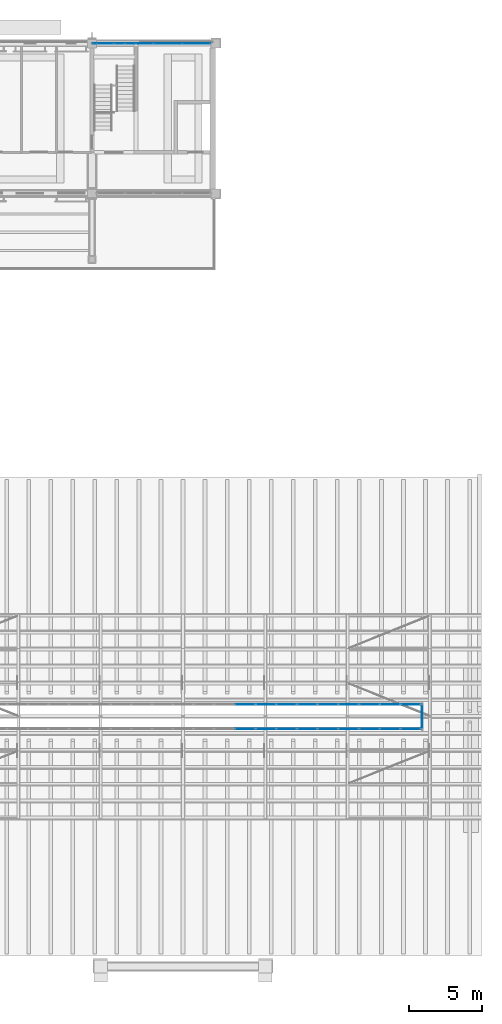
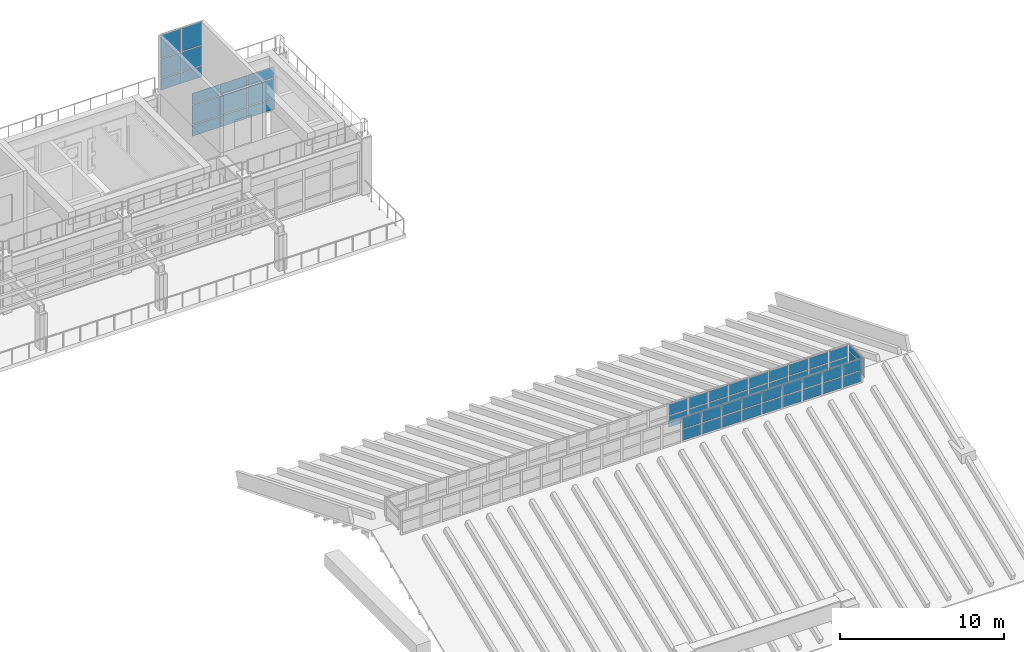
# One storey, part 53 of 105: 53 plates, 5 elements without a shape of their own.
"""IFC4 building model written with IfcOpenShell, lengths in metres."""

from ifc_helpers import new_model, si_unit, direction, frame, origin, origin_2d, place, context, subcontext, project, spatial, rectangle, extrude, material, layer, layer_set, type_object, element, aggregate, save


model = new_model("IFC4")

# Units and contexts
model_context = context("Model", 3, precision=1e-05, world=origin(), true_north=direction((0.0, 1.0)))
body_context = subcontext(model_context, "Body", "Model", "MODEL_VIEW")
ifc_project = project(units=[si_unit("LENGTHUNIT", "METRE"), si_unit("AREAUNIT", "SQUARE_METRE"), si_unit("VOLUMEUNIT", "CUBIC_METRE"), si_unit("PLANEANGLEUNIT", "RADIAN"), si_unit("MASSUNIT", "GRAM", prefix="KILO")], contexts=[model_context])

# Site, building, storey
site_placement = place(None, origin())
site = spatial("IfcSite", under=ifc_project, at=site_placement, CompositionType="ELEMENT")
building_placement = place(site_placement, origin())
building = spatial("IfcBuilding", under=site, at=building_placement, Name="Wasatch Bagh Community Centre", CompositionType="ELEMENT")
storey_placement = place(building_placement, frame((0.0, 0.0, 16.800048828125)))
storey = spatial("IfcBuildingStorey", under=building, at=storey_placement, Name="L04", CompositionType="ELEMENT", Elevation=16.800048828125)

# Curtain wall, plates
ifc_material_1 = material(Name="Aluminium curtain wall frame with low-iron glass", Category="aluminium")
ifc_layer_1 = layer(ifc_material_1, 0.10009765625)
ifc_layer_set_1 = layer_set([ifc_layer_1], Name="Aluminium curtain wall frame with low-iron glass")
curtain_wall_type_1 = type_object("IfcCurtainWallType", Name="LW curtain wall 100", PredefinedType="NOTDEFINED", material=ifc_layer_set_1)
curtain_wall_1_placement = place(storey_placement, origin())
curtain_wall_1 = element("IfcCurtainWall", 1, at=curtain_wall_1_placement, inside=storey, type_object=curtain_wall_type_1, Name="Curtain wall 04.08", PredefinedType="NOTDEFINED")
ifc_material_2 = material(Name="Low-iron insulated glass", Category="glass")
ifc_layer_2 = layer(ifc_material_2, 0.028076171875)
ifc_layer_set_2 = layer_set([ifc_layer_2], Name="Low-iron insulated glass")
plate_type_1 = type_object("IfcPlateType", Name="LW curtain wall panel 28", PredefinedType="CURTAIN_PANEL", material=ifc_layer_set_2)
plate_1_placement = place(storey_placement, frame((126.02490234375, 97.800048828125, 0.059814453125), z_axis=(0.0, 0.0, 1.0), x_axis=(1.0, 0.0, 0.0)))
plate_1 = element("IfcPlate", 2, at=plate_1_placement, type_object=plate_type_1, Name="LW-CW1 panel 2.1", PredefinedType="CURTAIN_PANEL", context=body_context, shape_type="SweptSolid", body=[
    extrude(rectangle(XDim=1.889892578125, YDim=0.028076171875, at=origin_2d()), origin(), (0.0, 0.0, 1.0), 0.81005859375),
])
plate_2_placement = place(storey_placement, frame((126.02490234375, 97.800048828125, 0.929931640625), z_axis=(0.0, 0.0, 1.0), x_axis=(1.0, 0.0, 0.0)))
plate_2 = element("IfcPlate", 3, at=plate_2_placement, type_object=plate_type_1, Name="LW-CW1 panel 2.2", PredefinedType="CURTAIN_PANEL", context=body_context, shape_type="SweptSolid", body=[
    extrude(rectangle(XDim=1.889892578125, YDim=0.028076171875, at=origin_2d()), origin(), (0.0, 0.0, 1.0), 1.43994140625),
])
plate_3_placement = place(storey_placement, frame((126.02490234375, 97.800048828125, 2.429931640625), z_axis=(0.0, 0.0, 1.0), x_axis=(1.0, 0.0, 0.0)))
plate_3 = element("IfcPlate", 4, at=plate_3_placement, type_object=plate_type_1, Name="LW-CW1 panel 2.3", PredefinedType="CURTAIN_PANEL", context=body_context, shape_type="SweptSolid", body=[
    extrude(rectangle(XDim=1.889892578125, YDim=0.028076171875, at=origin_2d()), origin(), (0.0, 0.0, 1.0), 0.81005859375),
])
plate_4_placement = place(storey_placement, frame((127.97509765625, 97.800048828125, 0.059814453125), z_axis=(0.0, 0.0, 1.0), x_axis=(1.0, 0.0, 0.0)))
plate_4 = element("IfcPlate", 5, at=plate_4_placement, type_object=plate_type_1, Name="LW-CW1 panel 3.1", PredefinedType="CURTAIN_PANEL", context=body_context, shape_type="SweptSolid", body=[
    extrude(rectangle(XDim=1.889892578125, YDim=0.028076171875, at=origin_2d()), origin(), (0.0, 0.0, 1.0), 0.81005859375),
])
plate_5_placement = place(storey_placement, frame((127.97509765625, 97.800048828125, 0.929931640625), z_axis=(0.0, 0.0, 1.0), x_axis=(1.0, 0.0, 0.0)))
plate_5 = element("IfcPlate", 6, at=plate_5_placement, type_object=plate_type_1, Name="LW-CW1 panel 3.2", PredefinedType="CURTAIN_PANEL", context=body_context, shape_type="SweptSolid", body=[
    extrude(rectangle(XDim=1.889892578125, YDim=0.028076171875, at=origin_2d()), origin(), (0.0, 0.0, 1.0), 1.43994140625),
])
plate_6_placement = place(storey_placement, frame((127.97509765625, 97.800048828125, 2.429931640625), z_axis=(0.0, 0.0, 1.0), x_axis=(1.0, 0.0, 0.0)))
plate_6 = element("IfcPlate", 7, at=plate_6_placement, type_object=plate_type_1, Name="LW-CW1 panel 3.3", PredefinedType="CURTAIN_PANEL", context=body_context, shape_type="SweptSolid", body=[
    extrude(rectangle(XDim=1.889892578125, YDim=0.028076171875, at=origin_2d()), origin(), (0.0, 0.0, 1.0), 0.81005859375),
])
plate_7_placement = place(storey_placement, frame((129.909912109375, 97.800048828125, 0.059814453125), z_axis=(0.0, 0.0, 1.0), x_axis=(1.0, 0.0, 0.0)))
plate_7 = element("IfcPlate", 8, at=plate_7_placement, type_object=plate_type_1, Name="LW-CW1 panel 4.1", PredefinedType="CURTAIN_PANEL", context=body_context, shape_type="SweptSolid", body=[
    extrude(rectangle(XDim=1.860107421875, YDim=0.028076171875, at=origin_2d()), origin(), (0.0, 0.0, 1.0), 0.81005859375),
])
plate_8_placement = place(storey_placement, frame((129.909912109375, 97.800048828125, 0.929931640625), z_axis=(0.0, 0.0, 1.0), x_axis=(1.0, 0.0, 0.0)))
plate_8 = element("IfcPlate", 9, at=plate_8_placement, type_object=plate_type_1, Name="LW-CW1 panel 4.2", PredefinedType="CURTAIN_PANEL", context=body_context, shape_type="SweptSolid", body=[
    extrude(rectangle(XDim=1.860107421875, YDim=0.028076171875, at=origin_2d()), origin(), (0.0, 0.0, 1.0), 1.43994140625),
])
plate_9_placement = place(storey_placement, frame((129.909912109375, 97.800048828125, 2.429931640625), z_axis=(0.0, 0.0, 1.0), x_axis=(1.0, 0.0, 0.0)))
plate_9 = element("IfcPlate", 10, at=plate_9_placement, type_object=plate_type_1, Name="LW-CW1 panel 4.3", PredefinedType="CURTAIN_PANEL", context=body_context, shape_type="SweptSolid", body=[
    extrude(rectangle(XDim=1.860107421875, YDim=0.028076171875, at=origin_2d()), origin(), (0.0, 0.0, 1.0), 0.81005859375),
])
aggregate(curtain_wall_1, [plate_1, plate_2, plate_3, plate_4, plate_5, plate_6, plate_7, plate_8, plate_9])

ifc_layer_3 = layer(ifc_material_1, 0.090087890625)
ifc_layer_set_3 = layer_set([ifc_layer_3], Name="Aluminium curtain wall frame with low-iron glass")
curtain_wall_type_2 = type_object("IfcCurtainWallType", Name="LW head house curtain wall 90", PredefinedType="NOTDEFINED", material=ifc_layer_set_3)
curtain_wall_2_placement = place(storey_placement, origin())
curtain_wall_2 = element("IfcCurtainWall", 11, at=curtain_wall_2_placement, inside=storey, type_object=curtain_wall_type_2, Name="Curtain wall 04.52", PredefinedType="NOTDEFINED")
ifc_layer_4 = layer(ifc_material_2, 0.028076171875)
ifc_layer_set_4 = layer_set([ifc_layer_4], Name="Low-iron insulated glass")
plate_type_2 = type_object("IfcPlateType", Name="LW curtain wall panel 28 LW-CW5", PredefinedType="CURTAIN_PANEL", material=ifc_layer_set_4)
plate_10_placement = place(storey_placement, frame((123.56494140625, 97.800048828125, 4.260009765625), z_axis=(0.0, 0.0, 1.0), x_axis=(1.0, 0.0, 0.0)))
plate_10 = element("IfcPlate", 12, at=plate_10_placement, type_object=plate_type_2, Name="LW-CW5 panel 1.1", PredefinedType="CURTAIN_PANEL", context=body_context, shape_type="SweptSolid", body=[
    extrude(rectangle(XDim=1.409912109375, YDim=0.028076171875, at=origin_2d()), origin(), (0.0, 0.0, 1.0), 0.81005859375),
])
plate_11_placement = place(storey_placement, frame((123.56494140625, 97.800048828125, 5.1298828125), z_axis=(0.0, 0.0, 1.0), x_axis=(1.0, 0.0, 0.0)))
plate_11 = element("IfcPlate", 13, at=plate_11_placement, type_object=plate_type_2, Name="LW-CW5 panel 1.2", PredefinedType="CURTAIN_PANEL", context=body_context, shape_type="SweptSolid", body=[
    extrude(rectangle(XDim=1.409912109375, YDim=0.028076171875, at=origin_2d()), origin(), (0.0, 0.0, 1.0), 1.43994140625),
])
plate_12_placement = place(storey_placement, frame((123.56494140625, 97.800048828125, 6.6298828125), z_axis=(0.0, 0.0, 1.0), x_axis=(1.0, 0.0, 0.0)))
plate_12 = element("IfcPlate", 14, at=plate_12_placement, type_object=plate_type_2, Name="LW-CW5 panel 1.3", PredefinedType="CURTAIN_PANEL", context=body_context, shape_type="SweptSolid", body=[
    extrude(rectangle(XDim=1.409912109375, YDim=0.028076171875, at=origin_2d()), origin(), (0.0, 0.0, 1.0), 1.7099609375),
])
plate_13_placement = place(storey_placement, frame((125.034912109375, 97.800048828125, 4.260009765625), z_axis=(0.0, 0.0, 1.0), x_axis=(1.0, 0.0, 0.0)))
plate_13 = element("IfcPlate", 15, at=plate_13_placement, type_object=plate_type_2, Name="LW-CW5 panel 2.1", PredefinedType="CURTAIN_PANEL", context=body_context, shape_type="SweptSolid", body=[
    extrude(rectangle(XDim=1.409912109375, YDim=0.028076171875, at=origin_2d()), origin(), (0.0, 0.0, 1.0), 0.81005859375),
])
plate_14_placement = place(storey_placement, frame((125.034912109375, 97.800048828125, 5.1298828125), z_axis=(0.0, 0.0, 1.0), x_axis=(1.0, 0.0, 0.0)))
plate_14 = element("IfcPlate", 16, at=plate_14_placement, type_object=plate_type_2, Name="LW-CW5 panel 2.2", PredefinedType="CURTAIN_PANEL", context=body_context, shape_type="SweptSolid", body=[
    extrude(rectangle(XDim=1.409912109375, YDim=0.028076171875, at=origin_2d()), origin(), (0.0, 0.0, 1.0), 1.43994140625),
])
plate_15_placement = place(storey_placement, frame((125.034912109375, 97.800048828125, 6.6298828125), z_axis=(0.0, 0.0, 1.0), x_axis=(1.0, 0.0, 0.0)))
plate_15 = element("IfcPlate", 17, at=plate_15_placement, type_object=plate_type_2, Name="LW-CW5 panel 2.3", PredefinedType="CURTAIN_PANEL", context=body_context, shape_type="SweptSolid", body=[
    extrude(rectangle(XDim=1.409912109375, YDim=0.028076171875, at=origin_2d()), origin(), (0.0, 0.0, 1.0), 1.7099609375),
])
aggregate(curtain_wall_2, [plate_10, plate_11, plate_12, plate_13, plate_14, plate_15])

ifc_material_3 = material(Name="Aluminium alloy 6063-T6", Category="aluminium")
ifc_layer_5 = layer(ifc_material_3, 0.10009765625)
ifc_layer_set_5 = layer_set([ifc_layer_5], Name="Aluminium alloy 6063-T6")
curtain_wall_type_3 = type_object("IfcCurtainWallType", Name="SH-CW3", PredefinedType="NOTDEFINED", material=ifc_layer_set_5)
curtain_wall_3_placement = place(storey_placement, origin())
curtain_wall_3 = element("IfcCurtainWall", 18, at=curtain_wall_3_placement, inside=storey, type_object=curtain_wall_type_3, Name="Curtain wall SH-CW3", PredefinedType="NOTDEFINED")
ifc_material_4 = material(Name="Laminated glass 8+8 mm", Category="glass")
ifc_layer_6 = layer(ifc_material_4, 0.028076171875)
ifc_layer_set_6 = layer_set([ifc_layer_6], Name="Laminated glass 8+8 mm")
plate_type_3 = type_object("IfcPlateType", Name="SH-CW3 panel", PredefinedType="CURTAIN_PANEL", material=ifc_layer_set_6)
plate_16_placement = place(storey_placement, frame((133.22607421875, 51.169921875, 3.11279296875), z_axis=(0.0, 0.0, 1.0), x_axis=(1.0, 0.0, 0.0)))
plate_16 = element("IfcPlate", 19, at=plate_16_placement, type_object=plate_type_3, Name="SH-CW3 panel 15.1", PredefinedType="CURTAIN_PANEL", context=body_context, shape_type="SweptSolid", body=[
    extrude(rectangle(XDim=1.3486328125, YDim=0.028076171875, at=origin_2d()), origin(), (0.0, 0.0, 1.0), 0.81005859375),
])
plate_17_placement = place(storey_placement, frame((133.22607421875, 51.169921875, 3.98291015625), z_axis=(0.0, 0.0, 1.0), x_axis=(1.0, 0.0, 0.0)))
plate_17 = element("IfcPlate", 20, at=plate_17_placement, type_object=plate_type_3, Name="SH-CW3 panel 15.2", PredefinedType="CURTAIN_PANEL", context=body_context, shape_type="SweptSolid", body=[
    extrude(rectangle(XDim=1.3486328125, YDim=0.028076171875, at=origin_2d()), origin(), (0.0, 0.0, 1.0), 0.81005859375),
])
plate_18_placement = place(storey_placement, frame((134.634765625, 51.169921875, 3.11279296875), z_axis=(0.0, 0.0, 1.0), x_axis=(1.0, 0.0, 0.0)))
plate_18 = element("IfcPlate", 21, at=plate_18_placement, type_object=plate_type_3, Name="SH-CW3 panel 16.1", PredefinedType="CURTAIN_PANEL", context=body_context, shape_type="SweptSolid", body=[
    extrude(rectangle(XDim=1.3486328125, YDim=0.028076171875, at=origin_2d()), origin(), (0.0, 0.0, 1.0), 0.81005859375),
])
plate_19_placement = place(storey_placement, frame((134.634765625, 51.169921875, 3.98291015625), z_axis=(0.0, 0.0, 1.0), x_axis=(1.0, 0.0, 0.0)))
plate_19 = element("IfcPlate", 22, at=plate_19_placement, type_object=plate_type_3, Name="SH-CW3 panel 16.2", PredefinedType="CURTAIN_PANEL", context=body_context, shape_type="SweptSolid", body=[
    extrude(rectangle(XDim=1.3486328125, YDim=0.028076171875, at=origin_2d()), origin(), (0.0, 0.0, 1.0), 0.81005859375),
])
plate_20_placement = place(storey_placement, frame((136.04345703125, 51.169921875, 3.11279296875), z_axis=(0.0, 0.0, 1.0), x_axis=(1.0, 0.0, 0.0)))
plate_20 = element("IfcPlate", 23, at=plate_20_placement, type_object=plate_type_3, Name="SH-CW3 panel 17.1", PredefinedType="CURTAIN_PANEL", context=body_context, shape_type="SweptSolid", body=[
    extrude(rectangle(XDim=1.3486328125, YDim=0.028076171875, at=origin_2d()), origin(), (0.0, 0.0, 1.0), 0.81005859375),
])
plate_21_placement = place(storey_placement, frame((136.04345703125, 51.169921875, 3.98291015625), z_axis=(0.0, 0.0, 1.0), x_axis=(1.0, 0.0, 0.0)))
plate_21 = element("IfcPlate", 24, at=plate_21_placement, type_object=plate_type_3, Name="SH-CW3 panel 17.2", PredefinedType="CURTAIN_PANEL", context=body_context, shape_type="SweptSolid", body=[
    extrude(rectangle(XDim=1.3486328125, YDim=0.028076171875, at=origin_2d()), origin(), (0.0, 0.0, 1.0), 0.81005859375),
])
plate_22_placement = place(storey_placement, frame((137.4521484375, 51.169921875, 3.11279296875), z_axis=(0.0, 0.0, 1.0), x_axis=(1.0, 0.0, 0.0)))
plate_22 = element("IfcPlate", 25, at=plate_22_placement, type_object=plate_type_3, Name="SH-CW3 panel 18.1", PredefinedType="CURTAIN_PANEL", context=body_context, shape_type="SweptSolid", body=[
    extrude(rectangle(XDim=1.3486328125, YDim=0.028076171875, at=origin_2d()), origin(), (0.0, 0.0, 1.0), 0.81005859375),
])
plate_23_placement = place(storey_placement, frame((137.4521484375, 51.169921875, 3.98291015625), z_axis=(0.0, 0.0, 1.0), x_axis=(1.0, 0.0, 0.0)))
plate_23 = element("IfcPlate", 26, at=plate_23_placement, type_object=plate_type_3, Name="SH-CW3 panel 18.2", PredefinedType="CURTAIN_PANEL", context=body_context, shape_type="SweptSolid", body=[
    extrude(rectangle(XDim=1.3486328125, YDim=0.028076171875, at=origin_2d()), origin(), (0.0, 0.0, 1.0), 0.81005859375),
])
plate_24_placement = place(storey_placement, frame((138.86083984375, 51.169921875, 3.11279296875), z_axis=(0.0, 0.0, 1.0), x_axis=(1.0, 0.0, 0.0)))
plate_24 = element("IfcPlate", 27, at=plate_24_placement, type_object=plate_type_3, Name="SH-CW3 panel 19.1", PredefinedType="CURTAIN_PANEL", context=body_context, shape_type="SweptSolid", body=[
    extrude(rectangle(XDim=1.3486328125, YDim=0.028076171875, at=origin_2d()), origin(), (0.0, 0.0, 1.0), 0.81005859375),
])
plate_25_placement = place(storey_placement, frame((138.86083984375, 51.169921875, 3.98291015625), z_axis=(0.0, 0.0, 1.0), x_axis=(1.0, 0.0, 0.0)))
plate_25 = element("IfcPlate", 28, at=plate_25_placement, type_object=plate_type_3, Name="SH-CW3 panel 19.2", PredefinedType="CURTAIN_PANEL", context=body_context, shape_type="SweptSolid", body=[
    extrude(rectangle(XDim=1.3486328125, YDim=0.028076171875, at=origin_2d()), origin(), (0.0, 0.0, 1.0), 0.81005859375),
])
plate_26_placement = place(storey_placement, frame((140.26953125, 51.169921875, 3.11279296875), z_axis=(0.0, 0.0, 1.0), x_axis=(1.0, 0.0, 0.0)))
plate_26 = element("IfcPlate", 29, at=plate_26_placement, type_object=plate_type_3, Name="SH-CW3 panel 20.1", PredefinedType="CURTAIN_PANEL", context=body_context, shape_type="SweptSolid", body=[
    extrude(rectangle(XDim=1.3486328125, YDim=0.028076171875, at=origin_2d()), origin(), (0.0, 0.0, 1.0), 0.81005859375),
])
plate_27_placement = place(storey_placement, frame((140.26953125, 51.169921875, 3.98291015625), z_axis=(0.0, 0.0, 1.0), x_axis=(1.0, 0.0, 0.0)))
plate_27 = element("IfcPlate", 30, at=plate_27_placement, type_object=plate_type_3, Name="SH-CW3 panel 20.2", PredefinedType="CURTAIN_PANEL", context=body_context, shape_type="SweptSolid", body=[
    extrude(rectangle(XDim=1.3486328125, YDim=0.028076171875, at=origin_2d()), origin(), (0.0, 0.0, 1.0), 0.81005859375),
])
plate_28_placement = place(storey_placement, frame((141.67822265625, 51.169921875, 3.11279296875), z_axis=(0.0, 0.0, 1.0), x_axis=(1.0, 0.0, 0.0)))
plate_28 = element("IfcPlate", 31, at=plate_28_placement, type_object=plate_type_3, Name="SH-CW3 panel 21.1", PredefinedType="CURTAIN_PANEL", context=body_context, shape_type="SweptSolid", body=[
    extrude(rectangle(XDim=1.3486328125, YDim=0.028076171875, at=origin_2d()), origin(), (0.0, 0.0, 1.0), 0.81005859375),
])
plate_29_placement = place(storey_placement, frame((141.67822265625, 51.169921875, 3.98291015625), z_axis=(0.0, 0.0, 1.0), x_axis=(1.0, 0.0, 0.0)))
plate_29 = element("IfcPlate", 32, at=plate_29_placement, type_object=plate_type_3, Name="SH-CW3 panel 21.2", PredefinedType="CURTAIN_PANEL", context=body_context, shape_type="SweptSolid", body=[
    extrude(rectangle(XDim=1.3486328125, YDim=0.028076171875, at=origin_2d()), origin(), (0.0, 0.0, 1.0), 0.81005859375),
])
plate_30_placement = place(storey_placement, frame((143.0869140625, 51.169921875, 3.11279296875), z_axis=(0.0, 0.0, 1.0), x_axis=(1.0, 0.0, 0.0)))
plate_30 = element("IfcPlate", 33, at=plate_30_placement, type_object=plate_type_3, Name="SH-CW3 panel 22.1", PredefinedType="CURTAIN_PANEL", context=body_context, shape_type="SweptSolid", body=[
    extrude(rectangle(XDim=1.3486328125, YDim=0.028076171875, at=origin_2d()), origin(), (0.0, 0.0, 1.0), 0.81005859375),
])
plate_31_placement = place(storey_placement, frame((143.0869140625, 51.169921875, 3.98291015625), z_axis=(0.0, 0.0, 1.0), x_axis=(1.0, 0.0, 0.0)))
plate_31 = element("IfcPlate", 34, at=plate_31_placement, type_object=plate_type_3, Name="SH-CW3 panel 22.2", PredefinedType="CURTAIN_PANEL", context=body_context, shape_type="SweptSolid", body=[
    extrude(rectangle(XDim=1.3486328125, YDim=0.028076171875, at=origin_2d()), origin(), (0.0, 0.0, 1.0), 0.81005859375),
])
plate_32_placement = place(storey_placement, frame((144.480712890625, 51.169921875, 3.11279296875), z_axis=(0.0, 0.0, 1.0), x_axis=(1.0, 0.0, 0.0)))
plate_32 = element("IfcPlate", 35, at=plate_32_placement, type_object=plate_type_3, Name="SH-CW3 panel 23.1", PredefinedType="CURTAIN_PANEL", context=body_context, shape_type="SweptSolid", body=[
    extrude(rectangle(XDim=1.318603515625, YDim=0.028076171875, at=origin_2d()), origin(), (0.0, 0.0, 1.0), 0.81005859375),
])
plate_33_placement = place(storey_placement, frame((144.480712890625, 51.169921875, 3.98291015625), z_axis=(0.0, 0.0, 1.0), x_axis=(1.0, 0.0, 0.0)))
plate_33 = element("IfcPlate", 36, at=plate_33_placement, type_object=plate_type_3, Name="SH-CW3 panel 23.2", PredefinedType="CURTAIN_PANEL", context=body_context, shape_type="SweptSolid", body=[
    extrude(rectangle(XDim=1.318603515625, YDim=0.028076171875, at=origin_2d()), origin(), (0.0, 0.0, 1.0), 0.81005859375),
])
aggregate(curtain_wall_3, [plate_16, plate_17, plate_18, plate_19, plate_20, plate_21, plate_22, plate_23, plate_24, plate_25, plate_26, plate_27, plate_28, plate_29, plate_30, plate_31, plate_32, plate_33])

curtain_wall_4_placement = place(storey_placement, origin())
curtain_wall_4 = element("IfcCurtainWall", 37, at=curtain_wall_4_placement, inside=storey, type_object=curtain_wall_type_3, Name="Curtain wall SH-CW3", PredefinedType="NOTDEFINED")
plate_34_placement = place(storey_placement, frame((133.22607421875, 52.830078125, 3.11279296875), z_axis=(0.0, 0.0, 1.0), x_axis=(1.0, 0.0, 0.0)))
plate_34 = element("IfcPlate", 38, at=plate_34_placement, type_object=plate_type_3, Name="SH-CW3 panel 15.1", PredefinedType="CURTAIN_PANEL", context=body_context, shape_type="SweptSolid", body=[
    extrude(rectangle(XDim=1.3486328125, YDim=0.028076171875, at=origin_2d()), origin(), (0.0, 0.0, 1.0), 0.81005859375),
])
plate_35_placement = place(storey_placement, frame((133.22607421875, 52.830078125, 3.98291015625), z_axis=(0.0, 0.0, 1.0), x_axis=(1.0, 0.0, 0.0)))
plate_35 = element("IfcPlate", 39, at=plate_35_placement, type_object=plate_type_3, Name="SH-CW3 panel 15.2", PredefinedType="CURTAIN_PANEL", context=body_context, shape_type="SweptSolid", body=[
    extrude(rectangle(XDim=1.3486328125, YDim=0.028076171875, at=origin_2d()), origin(), (0.0, 0.0, 1.0), 0.81005859375),
])
plate_36_placement = place(storey_placement, frame((134.634765625, 52.830078125, 3.11279296875), z_axis=(0.0, 0.0, 1.0), x_axis=(1.0, 0.0, 0.0)))
plate_36 = element("IfcPlate", 40, at=plate_36_placement, type_object=plate_type_3, Name="SH-CW3 panel 16.1", PredefinedType="CURTAIN_PANEL", context=body_context, shape_type="SweptSolid", body=[
    extrude(rectangle(XDim=1.3486328125, YDim=0.028076171875, at=origin_2d()), origin(), (0.0, 0.0, 1.0), 0.81005859375),
])
plate_37_placement = place(storey_placement, frame((134.634765625, 52.830078125, 3.98291015625), z_axis=(0.0, 0.0, 1.0), x_axis=(1.0, 0.0, 0.0)))
plate_37 = element("IfcPlate", 41, at=plate_37_placement, type_object=plate_type_3, Name="SH-CW3 panel 16.2", PredefinedType="CURTAIN_PANEL", context=body_context, shape_type="SweptSolid", body=[
    extrude(rectangle(XDim=1.3486328125, YDim=0.028076171875, at=origin_2d()), origin(), (0.0, 0.0, 1.0), 0.81005859375),
])
plate_38_placement = place(storey_placement, frame((136.04345703125, 52.830078125, 3.11279296875), z_axis=(0.0, 0.0, 1.0), x_axis=(1.0, 0.0, 0.0)))
plate_38 = element("IfcPlate", 42, at=plate_38_placement, type_object=plate_type_3, Name="SH-CW3 panel 17.1", PredefinedType="CURTAIN_PANEL", context=body_context, shape_type="SweptSolid", body=[
    extrude(rectangle(XDim=1.3486328125, YDim=0.028076171875, at=origin_2d()), origin(), (0.0, 0.0, 1.0), 0.81005859375),
])
plate_39_placement = place(storey_placement, frame((136.04345703125, 52.830078125, 3.98291015625), z_axis=(0.0, 0.0, 1.0), x_axis=(1.0, 0.0, 0.0)))
plate_39 = element("IfcPlate", 43, at=plate_39_placement, type_object=plate_type_3, Name="SH-CW3 panel 17.2", PredefinedType="CURTAIN_PANEL", context=body_context, shape_type="SweptSolid", body=[
    extrude(rectangle(XDim=1.3486328125, YDim=0.028076171875, at=origin_2d()), origin(), (0.0, 0.0, 1.0), 0.81005859375),
])
plate_40_placement = place(storey_placement, frame((137.4521484375, 52.830078125, 3.11279296875), z_axis=(0.0, 0.0, 1.0), x_axis=(1.0, 0.0, 0.0)))
plate_40 = element("IfcPlate", 44, at=plate_40_placement, type_object=plate_type_3, Name="SH-CW3 panel 18.1", PredefinedType="CURTAIN_PANEL", context=body_context, shape_type="SweptSolid", body=[
    extrude(rectangle(XDim=1.3486328125, YDim=0.028076171875, at=origin_2d()), origin(), (0.0, 0.0, 1.0), 0.81005859375),
])
plate_41_placement = place(storey_placement, frame((137.4521484375, 52.830078125, 3.98291015625), z_axis=(0.0, 0.0, 1.0), x_axis=(1.0, 0.0, 0.0)))
plate_41 = element("IfcPlate", 45, at=plate_41_placement, type_object=plate_type_3, Name="SH-CW3 panel 18.2", PredefinedType="CURTAIN_PANEL", context=body_context, shape_type="SweptSolid", body=[
    extrude(rectangle(XDim=1.3486328125, YDim=0.028076171875, at=origin_2d()), origin(), (0.0, 0.0, 1.0), 0.81005859375),
])
plate_42_placement = place(storey_placement, frame((138.86083984375, 52.830078125, 3.11279296875), z_axis=(0.0, 0.0, 1.0), x_axis=(1.0, 0.0, 0.0)))
plate_42 = element("IfcPlate", 46, at=plate_42_placement, type_object=plate_type_3, Name="SH-CW3 panel 19.1", PredefinedType="CURTAIN_PANEL", context=body_context, shape_type="SweptSolid", body=[
    extrude(rectangle(XDim=1.3486328125, YDim=0.028076171875, at=origin_2d()), origin(), (0.0, 0.0, 1.0), 0.81005859375),
])
plate_43_placement = place(storey_placement, frame((138.86083984375, 52.830078125, 3.98291015625), z_axis=(0.0, 0.0, 1.0), x_axis=(1.0, 0.0, 0.0)))
plate_43 = element("IfcPlate", 47, at=plate_43_placement, type_object=plate_type_3, Name="SH-CW3 panel 19.2", PredefinedType="CURTAIN_PANEL", context=body_context, shape_type="SweptSolid", body=[
    extrude(rectangle(XDim=1.3486328125, YDim=0.028076171875, at=origin_2d()), origin(), (0.0, 0.0, 1.0), 0.81005859375),
])
plate_44_placement = place(storey_placement, frame((140.26953125, 52.830078125, 3.11279296875), z_axis=(0.0, 0.0, 1.0), x_axis=(1.0, 0.0, 0.0)))
plate_44 = element("IfcPlate", 48, at=plate_44_placement, type_object=plate_type_3, Name="SH-CW3 panel 20.1", PredefinedType="CURTAIN_PANEL", context=body_context, shape_type="SweptSolid", body=[
    extrude(rectangle(XDim=1.3486328125, YDim=0.028076171875, at=origin_2d()), origin(), (0.0, 0.0, 1.0), 0.81005859375),
])
plate_45_placement = place(storey_placement, frame((140.26953125, 52.830078125, 3.98291015625), z_axis=(0.0, 0.0, 1.0), x_axis=(1.0, 0.0, 0.0)))
plate_45 = element("IfcPlate", 49, at=plate_45_placement, type_object=plate_type_3, Name="SH-CW3 panel 20.2", PredefinedType="CURTAIN_PANEL", context=body_context, shape_type="SweptSolid", body=[
    extrude(rectangle(XDim=1.3486328125, YDim=0.028076171875, at=origin_2d()), origin(), (0.0, 0.0, 1.0), 0.81005859375),
])
plate_46_placement = place(storey_placement, frame((141.67822265625, 52.830078125, 3.11279296875), z_axis=(0.0, 0.0, 1.0), x_axis=(1.0, 0.0, 0.0)))
plate_46 = element("IfcPlate", 50, at=plate_46_placement, type_object=plate_type_3, Name="SH-CW3 panel 21.1", PredefinedType="CURTAIN_PANEL", context=body_context, shape_type="SweptSolid", body=[
    extrude(rectangle(XDim=1.3486328125, YDim=0.028076171875, at=origin_2d()), origin(), (0.0, 0.0, 1.0), 0.81005859375),
])
plate_47_placement = place(storey_placement, frame((141.67822265625, 52.830078125, 3.98291015625), z_axis=(0.0, 0.0, 1.0), x_axis=(1.0, 0.0, 0.0)))
plate_47 = element("IfcPlate", 51, at=plate_47_placement, type_object=plate_type_3, Name="SH-CW3 panel 21.2", PredefinedType="CURTAIN_PANEL", context=body_context, shape_type="SweptSolid", body=[
    extrude(rectangle(XDim=1.3486328125, YDim=0.028076171875, at=origin_2d()), origin(), (0.0, 0.0, 1.0), 0.81005859375),
])
plate_48_placement = place(storey_placement, frame((143.0869140625, 52.830078125, 3.11279296875), z_axis=(0.0, 0.0, 1.0), x_axis=(1.0, 0.0, 0.0)))
plate_48 = element("IfcPlate", 52, at=plate_48_placement, type_object=plate_type_3, Name="SH-CW3 panel 22.1", PredefinedType="CURTAIN_PANEL", context=body_context, shape_type="SweptSolid", body=[
    extrude(rectangle(XDim=1.3486328125, YDim=0.028076171875, at=origin_2d()), origin(), (0.0, 0.0, 1.0), 0.81005859375),
])
plate_49_placement = place(storey_placement, frame((143.0869140625, 52.830078125, 3.98291015625), z_axis=(0.0, 0.0, 1.0), x_axis=(1.0, 0.0, 0.0)))
plate_49 = element("IfcPlate", 53, at=plate_49_placement, type_object=plate_type_3, Name="SH-CW3 panel 22.2", PredefinedType="CURTAIN_PANEL", context=body_context, shape_type="SweptSolid", body=[
    extrude(rectangle(XDim=1.3486328125, YDim=0.028076171875, at=origin_2d()), origin(), (0.0, 0.0, 1.0), 0.81005859375),
])
plate_50_placement = place(storey_placement, frame((144.480712890625, 52.830078125, 3.11279296875), z_axis=(0.0, 0.0, 1.0), x_axis=(1.0, 0.0, 0.0)))
plate_50 = element("IfcPlate", 54, at=plate_50_placement, type_object=plate_type_3, Name="SH-CW3 panel 23.1", PredefinedType="CURTAIN_PANEL", context=body_context, shape_type="SweptSolid", body=[
    extrude(rectangle(XDim=1.318603515625, YDim=0.028076171875, at=origin_2d()), origin(), (0.0, 0.0, 1.0), 0.81005859375),
])
plate_51_placement = place(storey_placement, frame((144.480712890625, 52.830078125, 3.98291015625), z_axis=(0.0, 0.0, 1.0), x_axis=(1.0, 0.0, 0.0)))
plate_51 = element("IfcPlate", 55, at=plate_51_placement, type_object=plate_type_3, Name="SH-CW3 panel 23.2", PredefinedType="CURTAIN_PANEL", context=body_context, shape_type="SweptSolid", body=[
    extrude(rectangle(XDim=1.318603515625, YDim=0.028076171875, at=origin_2d()), origin(), (0.0, 0.0, 1.0), 0.81005859375),
])
aggregate(curtain_wall_4, [plate_34, plate_35, plate_36, plate_37, plate_38, plate_39, plate_40, plate_41, plate_42, plate_43, plate_44, plate_45, plate_46, plate_47, plate_48, plate_49, plate_50, plate_51])

curtain_wall_5_placement = place(storey_placement, origin())
curtain_wall_5 = element("IfcCurtainWall", 56, at=curtain_wall_5_placement, inside=storey, type_object=curtain_wall_type_3, Name="Curtain wall SH-CW3", PredefinedType="NOTDEFINED")
plate_52_placement = place(storey_placement, frame((145.27001953125, 52.0, 3.476318359375), z_axis=(0.0, 0.0, 1.0), x_axis=(0.0, 1.0, 0.0)))
plate_52 = element("IfcPlate", 57, at=plate_52_placement, type_object=plate_type_3, Name="SH-CW3 panel 1.1", PredefinedType="CURTAIN_PANEL", context=body_context, shape_type="SweptSolid", body=[
    extrude(rectangle(XDim=1.679931640625, YDim=0.028076171875, at=origin_2d()), origin(), (0.0, 0.0, 1.0), 0.81005859375),
])
plate_53_placement = place(storey_placement, frame((145.27001953125, 52.0, 4.346435546875), z_axis=(0.0, 0.0, 1.0), x_axis=(0.0, 1.0, 0.0)))
plate_53 = element("IfcPlate", 58, at=plate_53_placement, type_object=plate_type_3, Name="SH-CW3 panel 1.2", PredefinedType="CURTAIN_PANEL", context=body_context, shape_type="SweptSolid", body=[
    extrude(rectangle(XDim=1.679931640625, YDim=0.028076171875, at=origin_2d()), origin(), (0.0, 0.0, 1.0), 0.4462890625),
])
aggregate(curtain_wall_5, [plate_52, plate_53])

save(model, "model.ifc")
